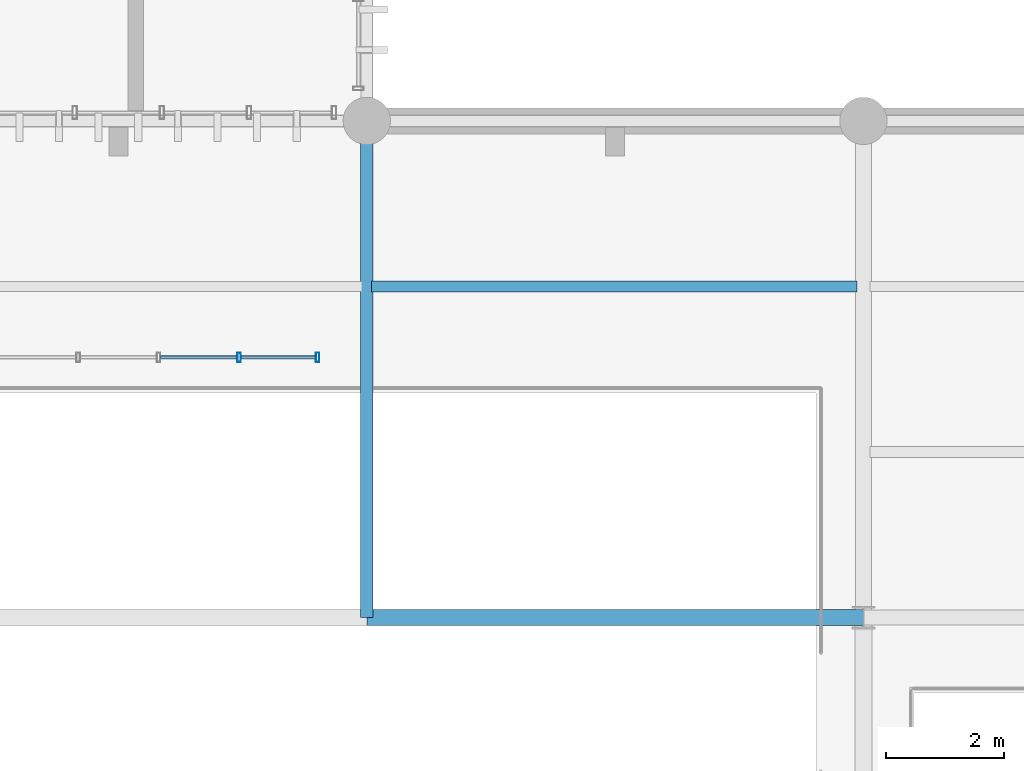
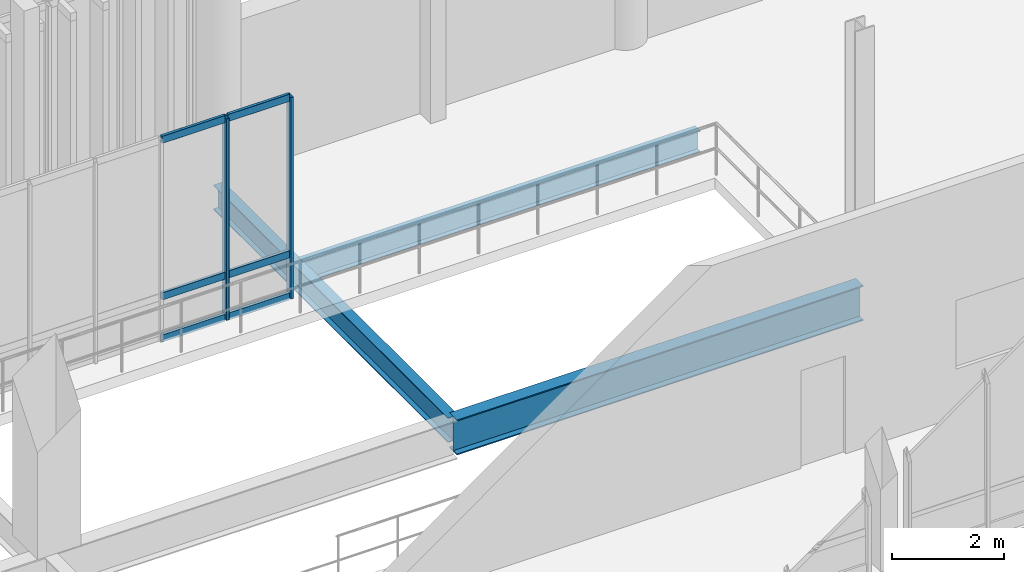
# One storey, part 53 of 128: 8 members, 3 beams, 1 element without a shape of its own.
"""IFC4 building model written with IfcOpenShell, lengths in metres."""

from ifc_helpers import new_model, si_unit, direction, frame, origin_with_axes, origin_2d_with_axis, place, context, subcontext, project, spatial, hollow_rectangle, i_section, extrude, material, material_profile, profile_set, type_object, element, aggregate, save


model = new_model("IFC4")

# Units and contexts
model_context = context("Model", 3, precision=1e-05, world=origin_with_axes(), true_north=direction((0.0, 1.0)))
body_context = subcontext(model_context, "Body", "Model", "MODEL_VIEW")
ifc_project = project(units=[si_unit("LENGTHUNIT", "METRE"), si_unit("AREAUNIT", "SQUARE_METRE"), si_unit("VOLUMEUNIT", "CUBIC_METRE"), si_unit("PLANEANGLEUNIT", "RADIAN"), si_unit("MASSUNIT", "GRAM", prefix="KILO"), si_unit("THERMODYNAMICTEMPERATUREUNIT", "KELVIN")], contexts=[model_context])

# Site, building, storey
site_placement = place(None, origin_with_axes())
site = spatial("IfcSite", under=ifc_project, at=site_placement, CompositionType="ELEMENT")
building_placement = place(site_placement, origin_with_axes())
building = spatial("IfcBuilding", under=site, at=building_placement, Name="Montbau Bow Law Courts", CompositionType="ELEMENT")
storey_placement = place(building_placement, frame((0.0, 0.0, 5.4), z_axis=(0.0, 0.0, 1.0), x_axis=(1.0, 0.0, 0.0)))
storey = spatial("IfcBuildingStorey", under=building, at=storey_placement, Name="L01", CompositionType="ELEMENT", Elevation=5.4)

# Beams
ifc_material_1 = material(Name="Steel CSA G40.21 Grade 350W (350 MPa)", Category="steel")
ifc_material_profile_1 = material_profile(ifc_material_1, i_section(OverallWidth=0.267, OverallDepth=0.766, WebThickness=0.0149, FlangeThickness=0.0236, at=origin_2d_with_axis()), Name="W760X185", Category="Main", Priority=0)
ifc_profile_set_1 = profile_set([ifc_material_profile_1], Name="Steel CSA G40.21 Grade 350W (350 MPa)")
beam_type_1 = type_object("IfcBeamType", Name="B-FLR-03", PredefinedType="BEAM", material=ifc_profile_set_1)
beam_1_placement = place(None, frame((97.2, 30.6, 4.777), z_axis=(1.0, 0.0, 0.0), x_axis=(0.0, 1.0, 0.0)))
element("IfcBeam", 1, at=beam_1_placement, inside=storey, type_object=beam_type_1, Name="BM-L01-S1076:bm2_1079", PredefinedType="BEAM", context=body_context, shape_type="SweptSolid", body=[
    extrude(i_section(OverallWidth=0.267, OverallDepth=0.766, WebThickness=0.0149, FlangeThickness=0.0236, at=origin_2d_with_axis()), origin_with_axes(), (0.0, 0.0, 1.0), 8.4),
])
ifc_material_profile_2 = material_profile(ifc_material_1, i_section(OverallWidth=0.21, OverallDepth=0.537, WebThickness=0.0109, FlangeThickness=0.0174, at=origin_2d_with_axis()), Name="W530X101", Category="Main", Priority=0)
ifc_profile_set_2 = profile_set([ifc_material_profile_2], Name="Steel CSA G40.21 Grade 350W (350 MPa)")
beam_type_2 = type_object("IfcBeamType", Name="B-FLR-06", PredefinedType="BEAM", material=ifc_profile_set_2)
beam_2_placement = place(None, frame((97.2, 30.6, 4.891), z_axis=(0.0, 1.0, 0.0), x_axis=(-1.0, 0.0, 0.0)))
element("IfcBeam", 2, at=beam_2_placement, inside=storey, type_object=beam_type_2, Name="BM-L01-S1092:bm2_1095", PredefinedType="BEAM", context=body_context, shape_type="SweptSolid", body=[
    extrude(i_section(OverallWidth=0.21, OverallDepth=0.537, WebThickness=0.0109, FlangeThickness=0.0174, at=origin_2d_with_axis()), origin_with_axes(), (0.0, 0.0, 1.0), 8.4),
])
ifc_material_profile_3 = material_profile(ifc_material_1, i_section(OverallWidth=0.191, OverallDepth=0.46, WebThickness=0.0099, FlangeThickness=0.016, at=origin_2d_with_axis()), Name="W460X82", Category="Main", Priority=0)
ifc_profile_set_3 = profile_set([ifc_material_profile_3], Name="Steel CSA G40.21 Grade 350W (350 MPa)")
beam_type_3 = type_object("IfcBeamType", Name="B-JST-01", PredefinedType="JOIST", material=ifc_profile_set_3)
beam_3_placement = place(None, frame((97.281, 36.2, 4.93), z_axis=(1.0, 0.0, 0.0), x_axis=(0.0, 1.0, 0.0)))
element("IfcBeam", 3, at=beam_3_placement, inside=storey, type_object=beam_type_3, Name="JST-L01-S0556:jst2_0556", PredefinedType="JOIST", context=body_context, shape_type="SweptSolid", body=[
    extrude(i_section(OverallWidth=0.191, OverallDepth=0.46, WebThickness=0.0099, FlangeThickness=0.016, at=origin_2d_with_axis()), origin_with_axes(), (0.0, 0.0, 1.0), 8.209),
])

# Curtain wall, members
ifc_material_2 = material(Name="Thermally Broken Extruded Aluminium AA 6063-T6", Category="aluminium")
curtain_wall_type = type_object("IfcCurtainWallType", Name="CW-INT-01", PredefinedType="NOTDEFINED", material=ifc_material_2)
curtain_wall_placement = place(None, frame((89.6, 35.0, 5.4), z_axis=(0.0, 0.0, 1.0), x_axis=(1.0, 0.0, 0.0)))
curtain_wall = element("IfcCurtainWall", 4, at=curtain_wall_placement, inside=storey, type_object=curtain_wall_type, Name="CW-L01-416:cw_0416", PredefinedType="NOTDEFINED")
ifc_material_profile_4 = material_profile(ifc_material_2, hollow_rectangle(XDim=0.06, YDim=0.16, WallThickness=0.004, InnerFilletRadius=0.008, OuterFilletRadius=0.004, at=origin_2d_with_axis()), Name="CWM-160X60", Category="Main", Priority=0)
ifc_profile_set_4 = profile_set([ifc_material_profile_4], Name="Thermally Broken Extruded Aluminium AA 6063-T6")
member_type_1 = type_object("IfcMemberType", Name="M-MUL-03", PredefinedType="MULLION", material=ifc_profile_set_4)
member_1_placement = place(None, frame((95.04, 35.0, 5.4), z_axis=(0.0, 0.0, 1.0), x_axis=(1.0, 0.0, 0.0)))
member_1 = element("IfcMember", 5, at=member_1_placement, type_object=member_type_1, Name="CW-L01-416-M05:cw_0416_M05", PredefinedType="MULLION", context=body_context, shape_type="SweptSolid", body=[
    extrude(hollow_rectangle(XDim=0.06, YDim=0.16, WallThickness=0.004, InnerFilletRadius=0.008, OuterFilletRadius=0.004, at=origin_2d_with_axis()), origin_with_axes(), (0.0, 0.0, 1.0), 4.4),
])
member_2_placement = place(None, frame((96.37, 35.0, 5.4), z_axis=(0.0, 0.0, 1.0), x_axis=(1.0, 0.0, 0.0)))
member_2 = element("IfcMember", 6, at=member_2_placement, type_object=member_type_1, Name="CW-L01-416-M06:cw_0416_M06", PredefinedType="MULLION", context=body_context, shape_type="SweptSolid", body=[
    extrude(hollow_rectangle(XDim=0.06, YDim=0.16, WallThickness=0.004, InnerFilletRadius=0.008, OuterFilletRadius=0.004, at=origin_2d_with_axis()), origin_with_axes(), (0.0, 0.0, 1.0), 4.4),
])
ifc_material_profile_5 = material_profile(ifc_material_2, hollow_rectangle(XDim=0.06, YDim=0.16, WallThickness=0.004, InnerFilletRadius=0.008, OuterFilletRadius=0.004, at=origin_2d_with_axis()), Name="CWT-160X60", Category="Main", Priority=0)
ifc_profile_set_5 = profile_set([ifc_material_profile_5], Name="Thermally Broken Extruded Aluminium AA 6063-T6")
member_type_2 = type_object("IfcMemberType", Name="M-TRN-01", PredefinedType="USERDEFINED", material=ifc_profile_set_5)
member_3_placement = place(None, frame((93.712, 35.0, 5.43), z_axis=(1.0, 0.0, 0.0), x_axis=(0.0, 1.0, 0.0)))
member_3 = element("IfcMember", 7, at=member_3_placement, type_object=member_type_2, Name="CW-L01-416-T04-1:cw_0416_T04_1", ObjectType="TRANSOM", PredefinedType="USERDEFINED", context=body_context, shape_type="SweptSolid", body=[
    extrude(hollow_rectangle(XDim=0.06, YDim=0.16, WallThickness=0.004, InnerFilletRadius=0.008, OuterFilletRadius=0.004, at=origin_2d_with_axis()), origin_with_axes(), (0.0, 0.0, 1.0), 1.296),
])
member_4_placement = place(None, frame((93.712, 35.0, 6.35), z_axis=(1.0, 0.0, 0.0), x_axis=(0.0, 1.0, 0.0)))
member_4 = element("IfcMember", 8, at=member_4_placement, type_object=member_type_2, Name="CW-L01-416-T04-2:cw_0416_T04_2", ObjectType="TRANSOM", PredefinedType="USERDEFINED", context=body_context, shape_type="SweptSolid", body=[
    extrude(hollow_rectangle(XDim=0.06, YDim=0.16, WallThickness=0.004, InnerFilletRadius=0.008, OuterFilletRadius=0.004, at=origin_2d_with_axis()), origin_with_axes(), (0.0, 0.0, 1.0), 1.296),
])
member_5_placement = place(None, frame((93.712, 35.0, 9.77), z_axis=(1.0, 0.0, 0.0), x_axis=(0.0, 1.0, 0.0)))
member_5 = element("IfcMember", 9, at=member_5_placement, type_object=member_type_2, Name="CW-L01-416-T04-3:cw_0416_T04_3", ObjectType="TRANSOM", PredefinedType="USERDEFINED", context=body_context, shape_type="SweptSolid", body=[
    extrude(hollow_rectangle(XDim=0.06, YDim=0.16, WallThickness=0.004, InnerFilletRadius=0.008, OuterFilletRadius=0.004, at=origin_2d_with_axis()), origin_with_axes(), (0.0, 0.0, 1.0), 1.296),
])
member_6_placement = place(None, frame((95.072, 35.0, 5.43), z_axis=(1.0, 0.0, 0.0), x_axis=(0.0, 1.0, 0.0)))
member_6 = element("IfcMember", 10, at=member_6_placement, type_object=member_type_2, Name="CW-L01-416-T05-1:cw_0416_T05_1", ObjectType="TRANSOM", PredefinedType="USERDEFINED", context=body_context, shape_type="SweptSolid", body=[
    extrude(hollow_rectangle(XDim=0.06, YDim=0.16, WallThickness=0.004, InnerFilletRadius=0.008, OuterFilletRadius=0.004, at=origin_2d_with_axis()), origin_with_axes(), (0.0, 0.0, 1.0), 1.266),
])
member_7_placement = place(None, frame((95.072, 35.0, 6.35), z_axis=(1.0, 0.0, 0.0), x_axis=(0.0, 1.0, 0.0)))
member_7 = element("IfcMember", 11, at=member_7_placement, type_object=member_type_2, Name="CW-L01-416-T05-2:cw_0416_T05_2", ObjectType="TRANSOM", PredefinedType="USERDEFINED", context=body_context, shape_type="SweptSolid", body=[
    extrude(hollow_rectangle(XDim=0.06, YDim=0.16, WallThickness=0.004, InnerFilletRadius=0.008, OuterFilletRadius=0.004, at=origin_2d_with_axis()), origin_with_axes(), (0.0, 0.0, 1.0), 1.266),
])
member_8_placement = place(None, frame((95.072, 35.0, 9.77), z_axis=(1.0, 0.0, 0.0), x_axis=(0.0, 1.0, 0.0)))
member_8 = element("IfcMember", 12, at=member_8_placement, type_object=member_type_2, Name="CW-L01-416-T05-3:cw_0416_T05_3", ObjectType="TRANSOM", PredefinedType="USERDEFINED", context=body_context, shape_type="SweptSolid", body=[
    extrude(hollow_rectangle(XDim=0.06, YDim=0.16, WallThickness=0.004, InnerFilletRadius=0.008, OuterFilletRadius=0.004, at=origin_2d_with_axis()), origin_with_axes(), (0.0, 0.0, 1.0), 1.266),
])
aggregate(curtain_wall, [member_1, member_2, member_3, member_4, member_5, member_6, member_7, member_8])

save(model, "model.ifc")
